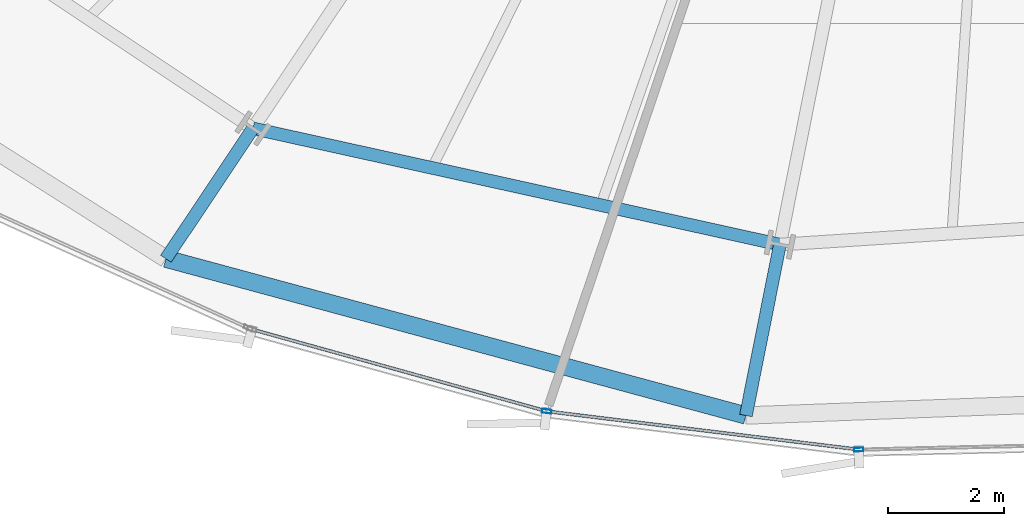
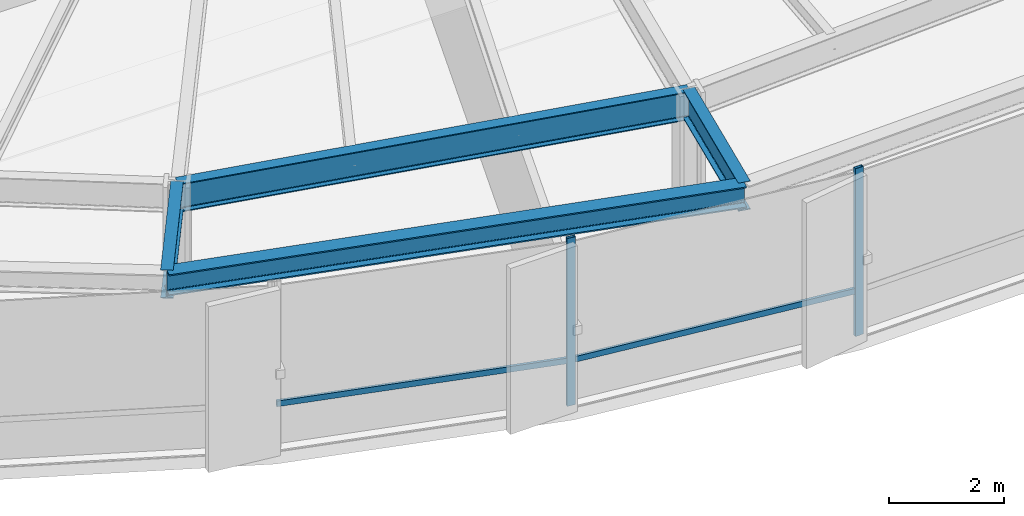
# One storey, part 5 of 38: 4 beams, 4 members, 1 element without a shape of its own.
"""IFC4 building model written with IfcOpenShell, lengths in metres."""

from ifc_helpers import new_model, si_unit, direction, frame, origin, origin_2d, place, context, subcontext, project, spatial, hollow_rectangle, i_section, extrude, source, transform, mapped, material, layer, layer_set, material_profile, profile_set, type_object, element, aggregate, save


model = new_model("IFC4")

# Units and contexts
model_context = context("Model", 3, precision=1e-05, world=origin(), true_north=direction((0.0, 1.0)))
body_context = subcontext(model_context, "Body", "Model", "MODEL_VIEW")
ifc_project = project(units=[si_unit("LENGTHUNIT", "METRE"), si_unit("AREAUNIT", "SQUARE_METRE"), si_unit("VOLUMEUNIT", "CUBIC_METRE"), si_unit("PLANEANGLEUNIT", "RADIAN"), si_unit("MASSUNIT", "GRAM", prefix="KILO"), si_unit("THERMODYNAMICTEMPERATUREUNIT", "KELVIN")], contexts=[model_context])

# Site, building, storey
site_placement = place(None, origin())
site = spatial("IfcSite", under=ifc_project, at=site_placement, CompositionType="ELEMENT")
building_placement = place(site_placement, origin())
building = spatial("IfcBuilding", under=site, at=building_placement, Name="Kethvar Cultural Tower", CompositionType="ELEMENT")
storey_placement = place(building_placement, frame((0.0, 0.0, 52.39990234375)))
storey = spatial("IfcBuildingStorey", under=building, at=storey_placement, Name="L12", CompositionType="ELEMENT", Elevation=52.39990234375)

# Beams
ifc_material_1 = material(Name="Steel S355J2", Category="steel")
ifc_material_profile_1 = material_profile(ifc_material_1, i_section(OverallWidth=0.219970703125, OverallDepth=0.60009765625, WebThickness=0.011962890625, FlangeThickness=0.01904296875, FilletRadius=0.02392578125, at=origin_2d()), Name="Steel S355J2 — IPE600")
ifc_profile_set_1 = profile_set([ifc_material_profile_1], Name="Steel S355J2 — IPE600")
beam_type_1 = type_object("IfcBeamType", Name="BM-IPE600", PredefinedType="BEAM", material=ifc_profile_set_1)
shared_shape_1 = source(origin(), body_context, "Body", "SweptSolid", [
    extrude(i_section(OverallWidth=0.219970703125, OverallDepth=0.60009765625, WebThickness=0.011962890625, FlangeThickness=0.01904296875, FilletRadius=0.02392578125, at=origin_2d()), origin(), (0.0, 0.0, 1.0), 9.299560546875),
])
beam_1_placement = place(storey_placement, frame((33.302001953125, 7.598876953125, 3.248046875), z_axis=(0.976536034872, -0.21535406334, 0.0), x_axis=(0.21535406334, 0.976536034872, 0.0)))
element("IfcBeam", 1, at=beam_1_placement, inside=storey, type_object=beam_type_1, Name="L12 Column Ring Tie Beam CR-11", PredefinedType="BEAM", context=body_context, shape_type="MappedRepresentation", body=[
    mapped(shared_shape_1, transform((0.0, 0.0, 0.0), scale=1.0)),
])
shared_shape_2 = source(origin(), body_context, "Body", "SweptSolid", [
    extrude(i_section(OverallWidth=0.219970703125, OverallDepth=0.60009765625, WebThickness=0.011962890625, FlangeThickness=0.01904296875, FilletRadius=0.02392578125, at=origin_2d()), origin(), (0.0, 0.0, 1.0), 2.701416015625),
])
beam_2_placement = place(storey_placement, frame((33.302001953125, 7.598876953125, 3.248046875), z_axis=(-0.555555020446, -0.831479776818, 0.0), x_axis=(0.831479776818, -0.555555020446, 0.0)))
element("IfcBeam", 2, at=beam_2_placement, inside=storey, type_object=beam_type_1, Name="L12 Perimeter Cantilever Beam RC-11", PredefinedType="BEAM", context=body_context, shape_type="MappedRepresentation", body=[
    mapped(shared_shape_2, transform((0.0, 0.0, 0.0), scale=1.0)),
])
shared_shape_3 = source(origin(), body_context, "Body", "SweptSolid", [
    extrude(i_section(OverallWidth=0.219970703125, OverallDepth=0.60009765625, WebThickness=0.011962890625, FlangeThickness=0.01904296875, FilletRadius=0.02392578125, at=origin_2d()), origin(), (0.0, 0.0, 1.0), 3.0029296875),
])
beam_3_placement = place(storey_placement, frame((42.38330078125, 5.59619140625, 3.248046875), z_axis=(-0.195037236092, -0.980795838357, 0.0), x_axis=(0.980795838357, -0.195037236092, 0.0)))
element("IfcBeam", 3, at=beam_3_placement, inside=storey, type_object=beam_type_1, Name="L12 Perimeter Cantilever Beam RC-12", PredefinedType="BEAM", context=body_context, shape_type="MappedRepresentation", body=[
    mapped(shared_shape_3, transform((0.0, 0.0, 0.0), scale=1.0)),
])
ifc_material_profile_2 = material_profile(ifc_material_1, i_section(OverallWidth=0.300048828125, OverallDepth=0.449951171875, WebThickness=0.013916015625, FlangeThickness=0.02587890625, FilletRadius=0.027099609375, at=origin_2d()), Name="Steel S355J2 — HEB450")
ifc_profile_set_2 = profile_set([ifc_material_profile_2], Name="Steel S355J2 — HEB450")
beam_type_2 = type_object("IfcBeamType", Name="BM-SP450", PredefinedType="SPANDREL", material=ifc_profile_set_2)
shared_shape_4 = source(origin(), body_context, "Body", "SweptSolid", [
    extrude(i_section(OverallWidth=0.300048828125, OverallDepth=0.449951171875, WebThickness=0.013916015625, FlangeThickness=0.02587890625, FilletRadius=0.027099609375, at=origin_2d()), origin(), (0.0, 0.0, 1.0), 10.35498046875),
])
beam_4_placement = place(storey_placement, frame((31.80126953125, 5.352783203125, 3.322998046875), z_axis=(0.965358738471, -0.260926246395, 0.0), x_axis=(0.260926246395, 0.965358738471, 0.0)))
element("IfcBeam", 4, at=beam_4_placement, inside=storey, type_object=beam_type_2, Name="L12 Perimeter Spandrel Beam SP-11", PredefinedType="SPANDREL", context=body_context, shape_type="MappedRepresentation", body=[
    mapped(shared_shape_4, transform((0.0, 0.0, 0.0), scale=1.0)),
])

# Curtain wall, members
ifc_material_2 = material(Name="Aluminium 6063-T6", Category="aluminium")
ifc_layer = layer(ifc_material_2, 0.179931640625, Name="Aluminium 6063-T6", Category="aluminium")
ifc_layer_set = layer_set([ifc_layer], Name="Aluminium 6063-T6 (180 mm)")
curtain_wall_type = type_object("IfcCurtainWallType", Name="CW-SYS-02-Z1", PredefinedType="NOTDEFINED", material=ifc_layer_set)
curtain_wall_placement = place(storey_placement, origin())
curtain_wall = element("IfcCurtainWall", 5, at=curtain_wall_placement, inside=storey, type_object=curtain_wall_type, Name="L12 Curtain Wall Run 05", PredefinedType="NOTDEFINED")
ifc_material_profile_3 = material_profile(ifc_material_2, hollow_rectangle(XDim=0.06494140625, YDim=0.159912109375, WallThickness=0.0048828125, at=origin_2d()), Name="Aluminium 6063-T6 — RHS160x65x5")
ifc_profile_set_3 = profile_set([ifc_material_profile_3], Name="Aluminium 6063-T6 — RHS160x65x5")
member_type_1 = type_object("IfcMemberType", Name="CW-SYS-02-Z1-MUL", PredefinedType="MULLION", material=ifc_profile_set_3)
shared_shape_5 = source(origin(), body_context, "Body", "SweptSolid", [
    extrude(hollow_rectangle(XDim=0.06494140625, YDim=0.159912109375, WallThickness=0.0048828125, at=origin_2d()), origin(), (0.0, 0.0, 1.0), 3.550048828125),
])
member_1_placement = place(storey_placement, frame((38.364501953125, 2.723388671875, 0.0), z_axis=(0.0, 0.0, 1.0), x_axis=(0.121678785979, 0.992569530583, 0.0)))
member_1 = element("IfcMember", 6, at=member_1_placement, type_object=member_type_1, Name="CW-L12-R05 Mullion 2", PredefinedType="MULLION", context=body_context, shape_type="MappedRepresentation", body=[
    mapped(shared_shape_5, transform((0.0, 0.0, 0.0), scale=1.0)),
])
member_2_placement = place(storey_placement, frame((43.741943359375, 2.06298828125, 0.0), z_axis=(0.0, 0.0, 1.0), x_axis=(-0.022652435959, 0.999743400651, 0.0)))
member_2 = element("IfcMember", 7, at=member_2_placement, type_object=member_type_1, Name="CW-L12-R05 Mullion 3", PredefinedType="MULLION", context=body_context, shape_type="MappedRepresentation", body=[
    mapped(shared_shape_5, transform((0.0, 0.0, 0.0), scale=1.0)),
])
ifc_material_profile_4 = material_profile(ifc_material_2, hollow_rectangle(XDim=0.054931640625, YDim=0.1201171875, WallThickness=0.00390625, at=origin_2d()), Name="Aluminium 6063-T6 — RHS120x55x4")
ifc_profile_set_4 = profile_set([ifc_material_profile_4], Name="Aluminium 6063-T6 — RHS120x55x4")
member_type_2 = type_object("IfcMemberType", Name="CW-SYS-02-Z1-TRN", PredefinedType="USERDEFINED", material=ifc_profile_set_4)
shared_shape_6 = source(origin(), body_context, "Body", "SweptSolid", [
    extrude(hollow_rectangle(XDim=0.054931640625, YDim=0.1201171875, WallThickness=0.00390625, at=origin_2d()), origin(), (0.0, 0.0, 1.0), 5.239013671875),
])
member_3_placement = place(storey_placement, frame((33.288818359375, 4.13427734375, 0.9501953125), z_axis=(0.963537267921, -0.267574164163, 0.0), x_axis=(0.267574164163, 0.963537267921, 0.0)))
member_3 = element("IfcMember", 8, at=member_3_placement, type_object=member_type_2, Name="CW-L12-R05 Transom 1", ObjectType="TRANSOM", PredefinedType="USERDEFINED", context=body_context, shape_type="MappedRepresentation", body=[
    mapped(shared_shape_6, transform((0.0, 0.0, 0.0), scale=1.0)),
])
shared_shape_7 = source(origin(), body_context, "Body", "SweptSolid", [
    extrude(hollow_rectangle(XDim=0.054931640625, YDim=0.1201171875, WallThickness=0.00390625, at=origin_2d()), origin(), (0.0, 0.0, 1.0), 5.341796875),
])
member_4_placement = place(storey_placement, frame((38.410888671875, 2.7177734375, 0.9501953125), z_axis=(0.992571077128, -0.121666169697, 0.0), x_axis=(0.121666169697, 0.992571077128, 0.0)))
member_4 = element("IfcMember", 9, at=member_4_placement, type_object=member_type_2, Name="CW-L12-R05 Transom 2", ObjectType="TRANSOM", PredefinedType="USERDEFINED", context=body_context, shape_type="MappedRepresentation", body=[
    mapped(shared_shape_7, transform((0.0, 0.0, 0.0), scale=1.0)),
])
aggregate(curtain_wall, [member_1, member_2, member_3, member_4])

save(model, "model.ifc")
